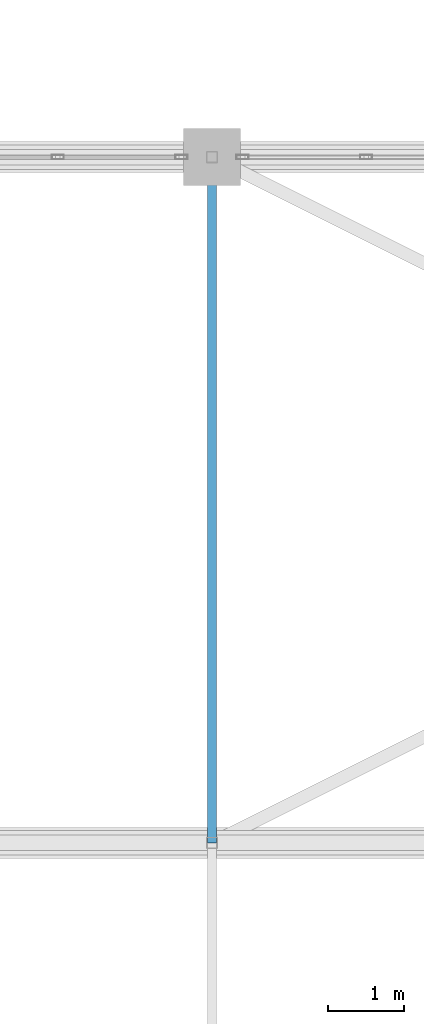
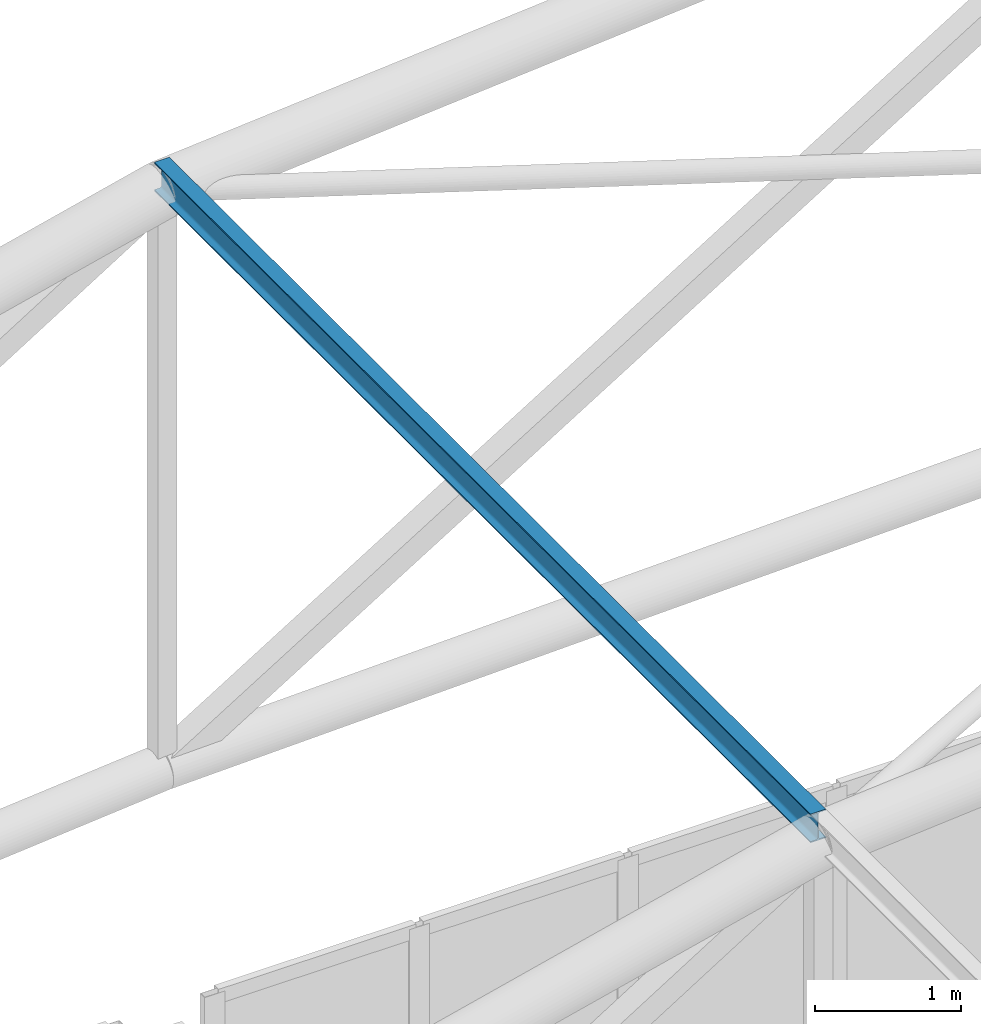
# One storey, part 105 of 167: 1 member.
"""IFC4 building model written with IfcOpenShell, lengths in metres."""

from ifc_helpers import new_model, si_unit, direction, frame, origin, origin_2d, place, context, subcontext, project, spatial, i_section, extrude, material, material_profile, profile_set, type_object, element, save


model = new_model("IFC4")

# Units and contexts
model_context = context("Model", 3, precision=1e-05, world=origin(), true_north=direction((0.0, 1.0)))
body_context = subcontext(model_context, "Body", "Model", "MODEL_VIEW")
ifc_project = project(units=[si_unit("LENGTHUNIT", "METRE"), si_unit("AREAUNIT", "SQUARE_METRE"), si_unit("VOLUMEUNIT", "CUBIC_METRE"), si_unit("PLANEANGLEUNIT", "RADIAN"), si_unit("MASSUNIT", "GRAM", prefix="KILO")], contexts=[model_context])

# Site, building, storey
site_placement = place(None, origin())
site = spatial("IfcSite", under=ifc_project, at=site_placement, CompositionType="ELEMENT")
building_placement = place(site_placement, origin())
building = spatial("IfcBuilding", under=site, at=building_placement, Name="Dornveld Trade and Exhibition Forum", CompositionType="ELEMENT")
storey_placement = place(building_placement, frame((0.0, 0.0, 16.800048828125)))
storey = spatial("IfcBuildingStorey", under=building, at=storey_placement, Name="L03", CompositionType="ELEMENT", Elevation=16.800048828125)

# Member
ifc_material = material(Name="Steel S355J2", Category="steel")
ifc_material_profile = material_profile(ifc_material, i_section(OverallWidth=0.1201171875, OverallDepth=0.239990234375, WebThickness=0.006103515625, FlangeThickness=0.009765625, FilletRadius=0.014892578125, at=origin_2d()), Name="IPE 240")
ifc_profile_set = profile_set([ifc_material_profile], Name="Steel S355J2")
member_type = type_object("IfcMemberType", Name="MEM-PURLIN-240", PredefinedType="PURLIN", material=ifc_profile_set)
member_placement = place(storey_placement, frame((45.0, 126.0, 11.048583984375), z_axis=(0.0, 1.0, 0.0), x_axis=(-1.0, 0.0, 0.0)))
element("IfcMember", 1, at=member_placement, inside=storey, type_object=member_type, Name="H3 bay 11 roof purlin 3", PredefinedType="PURLIN", context=body_context, shape_type="SweptSolid", body=[
    extrude(i_section(OverallWidth=0.1201171875, OverallDepth=0.239990234375, WebThickness=0.006103515625, FlangeThickness=0.009765625, FilletRadius=0.014892578125, at=origin_2d()), origin(), (0.0, 0.0, 1.0), 9.0),
])

save(model, "model.ifc")
